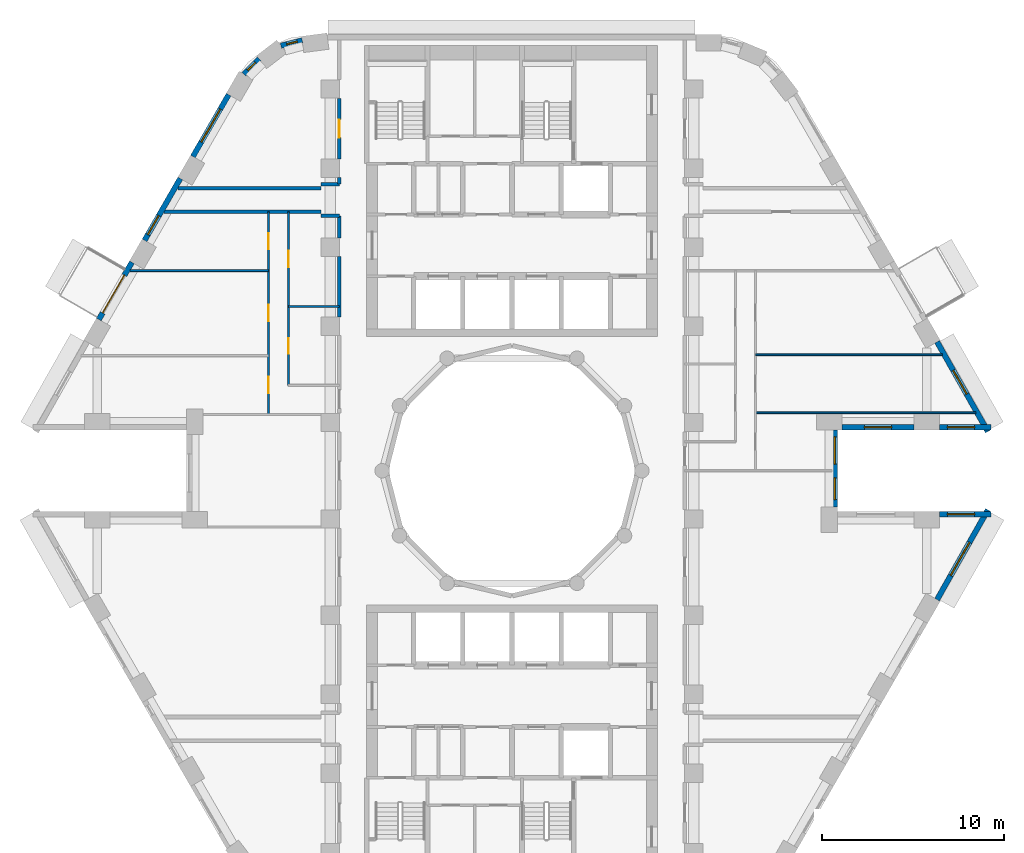
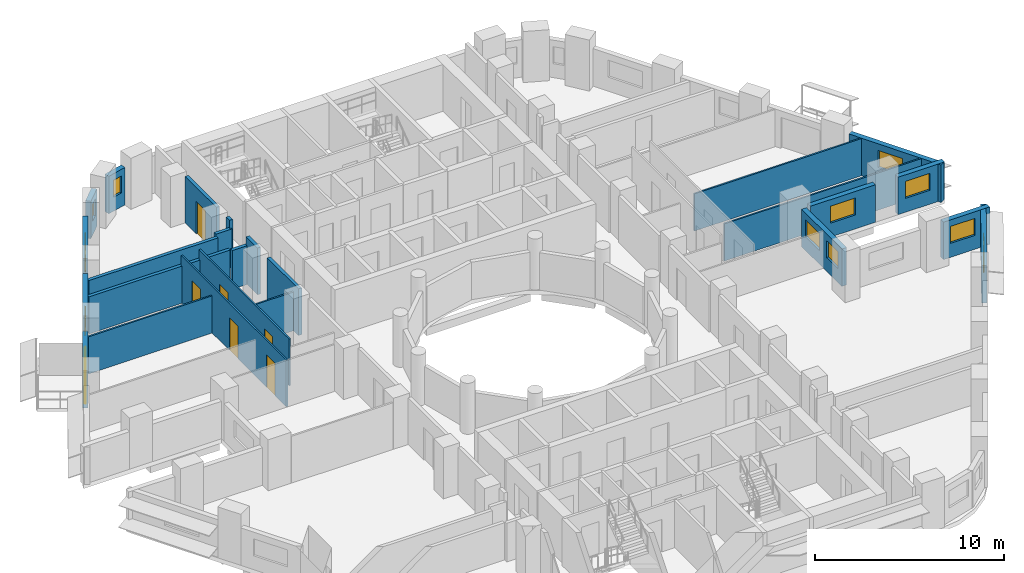
# One storey, part 6 of 14: 25 walls, 11 windows, 7 doors, 18 openings.
"""IFC4 building model written with IfcOpenShell, lengths in metres."""

from ifc_helpers import new_model, si_unit, direction, frame, frame_2d, origin, place, context, subcontext, project, spatial, rectangle, extrude, material, layer, layer_set, type_object, element, fill, save


model = new_model("IFC4")

# Units and contexts
model_context = context("Model", 3, precision=1e-05, world=origin(), true_north=direction((0.0, 1.0)))
body_context = subcontext(model_context, "Body", "Model", "MODEL_VIEW")
ifc_project = project(units=[si_unit("LENGTHUNIT", "METRE"), si_unit("AREAUNIT", "SQUARE_METRE"), si_unit("VOLUMEUNIT", "CUBIC_METRE"), si_unit("PLANEANGLEUNIT", "RADIAN"), si_unit("MASSUNIT", "GRAM", prefix="KILO")], contexts=[model_context])

# Site, building, storey
site_placement = place(None, origin())
site = spatial("IfcSite", under=ifc_project, at=site_placement, CompositionType="ELEMENT")
building_placement = place(site_placement, origin())
building = spatial("IfcBuilding", under=site, at=building_placement, Name="Nakaniwa Court", CompositionType="ELEMENT")
storey_placement = place(building_placement, frame((0.0, 0.0, 114.0)))
storey = spatial("IfcBuildingStorey", under=building, at=storey_placement, Name="L30", CompositionType="ELEMENT", Elevation=114.0)

# Walls
ifc_material_1 = material(Name="Acoustic double stud partition")
ifc_layer_1 = layer(ifc_material_1, 0.199951171875)
ifc_layer_set_1 = layer_set([ifc_layer_1], Name="Acoustic double stud partition")
wall_type_1 = type_object("IfcWallType", Name="Acoustic double stud partition 200", PredefinedType="PARTITIONING", material=ifc_layer_set_1)
wall_1_placement = place(storey_placement, frame((69.5, 95.77490234375, 0.0), z_axis=(0.0, 0.0, 1.0), x_axis=(1.0, 0.0, 0.0)))
element("IfcWall", 1, at=wall_1_placement, inside=storey, type_object=wall_type_1, Name="Partition PW-082", PredefinedType="PARTITIONING", context=body_context, shape_type="SweptSolid", body=[
    extrude(rectangle(XDim=1.0, YDim=0.199951171875, at=frame_2d((0.5, 0.0))), origin(), (0.0, 0.0, 1.0), 2.5048828125),
])
wall_2_placement = place(storey_placement, frame((61.611328125, 95.550048828125, 0.0), z_axis=(0.0, 0.0, 1.0), x_axis=(1.0, 0.0, 0.0)))
element("IfcWall", 2, at=wall_2_placement, inside=storey, type_object=wall_type_1, Name="Partition PW-084", PredefinedType="PARTITIONING", context=body_context, shape_type="SweptSolid", body=[
    extrude(rectangle(XDim=7.888671875, YDim=0.199951171875, at=frame_2d((3.9443359375, 0.0))), origin(), (0.0, 0.0, 1.0), 2.405029296875),
])
wall_3_placement = place(storey_placement, frame((60.86083984375, 94.25, 0.0), z_axis=(0.0, 0.0, 1.0), x_axis=(1.0, 0.0, 0.0)))
element("IfcWall", 3, at=wall_3_placement, inside=storey, type_object=wall_type_1, Name="Partition PW-086", PredefinedType="PARTITIONING", context=body_context, shape_type="SweptSolid", body=[
    extrude(rectangle(XDim=8.63916015625, YDim=0.199951171875, at=frame_2d((4.319580078125, 0.0))), origin(), (0.0, 0.0, 1.0), 2.405029296875),
])
wall_4_placement = place(storey_placement, frame((69.5, 94.02490234375, 0.0), z_axis=(0.0, 0.0, 1.0), x_axis=(1.0, 0.0, 0.0)))
element("IfcWall", 4, at=wall_4_placement, inside=storey, type_object=wall_type_1, Name="Partition PW-088", PredefinedType="PARTITIONING", context=body_context, shape_type="SweptSolid", body=[
    extrude(rectangle(XDim=1.0, YDim=0.199951171875, at=frame_2d((0.5, 0.0))), origin(), (0.0, 0.0, 1.0), 2.5048828125),
])
wall_5_placement = place(storey_placement, frame((70.5, 88.467041015625, 0.0), z_axis=(0.0, 0.0, 1.0), x_axis=(0.0, 1.0, 0.0)))
element("IfcWall", 5, at=wall_5_placement, inside=storey, type_object=wall_type_1, Name="Partition PW-106", PredefinedType="PARTITIONING", context=body_context, shape_type="SweptSolid", body=[
    extrude(rectangle(XDim=3.31591796875, YDim=0.199951171875, at=frame_2d((1.657958984375, 0.0))), origin(), (0.0, 0.0, 1.0), 3.02490234375),
])
wall_6_placement = place(storey_placement, frame((70.5, 92.81689453125, 0.0), z_axis=(0.0, 0.0, 1.0), x_axis=(0.0, 1.0, 0.0)))
element("IfcWall", 6, at=wall_6_placement, inside=storey, type_object=wall_type_1, Name="Partition PW-107", PredefinedType="PARTITIONING", context=body_context, shape_type="SweptSolid", body=[
    extrude(rectangle(XDim=1.211181640625, YDim=0.199951171875, at=frame_2d((0.60546875, 0.0))), origin(), (0.0, 0.0, 1.0), 3.02490234375),
])
wall_7_placement = place(storey_placement, frame((70.5, 95.77197265625, 0.0), z_axis=(0.0, 0.0, 1.0), x_axis=(0.0, 1.0, 0.0)))
element("IfcWall", 7, at=wall_7_placement, inside=storey, type_object=wall_type_1, Name="Partition PW-108", PredefinedType="PARTITIONING", context=body_context, shape_type="SweptSolid", body=[
    extrude(rectangle(XDim=0.361083984375, YDim=0.199951171875, at=frame_2d((0.1806640625, 0.0))), origin(), (0.0, 0.0, 1.0), 3.02490234375),
])

# Wall, opening, door
wall_8_placement = place(storey_placement, frame((70.5, 97.1669921875, 0.0), z_axis=(0.0, 0.0, 1.0), x_axis=(0.0, 1.0, 0.0)))
wall_8 = element("IfcWall", 8, at=wall_8_placement, inside=storey, type_object=wall_type_1, Name="Partition PW-109", PredefinedType="PARTITIONING", context=body_context, shape_type="SweptSolid", body=[
    extrude(rectangle(XDim=3.31591796875, YDim=0.199951171875, at=frame_2d((1.657958984375, 0.0))), origin(), (0.0, 0.0, 1.0), 3.02490234375),
])
opening_1_placement = place(wall_8_placement, frame((1.157958984375, 0.0, 0.0)))
opening_1 = element("IfcOpeningElement", 9, at=opening_1_placement, cuts=wall_8, Name="Opening D-02-07", PredefinedType="OPENING", context=body_context, shape_type="SweptSolid", body=[
    extrude(rectangle(XDim=1.0, YDim=2.10009765625, at=frame_2d((0.5, 1.050048828125))), frame((0.0, 0.10986328125, 0.0), z_axis=(0.0, -1.0, 0.0), x_axis=(1.0, 0.0, 0.0)), (0.0, 0.0, 1.0), 0.219970703125),
])
ifc_material_2 = material(Name="Solid core timber door set, black veneer", Category="wood")
door_type_1 = type_object("IfcDoorType", Name="Internal door 1000", OperationType="NOTDEFINED", PredefinedType="DOOR", material=ifc_material_2)
door_1_placement = place(opening_1_placement, origin())
door_1 = element("IfcDoor", 10, at=door_1_placement, inside=storey, type_object=door_type_1, Name="Door D-02-07 L30-045", OperationType="SINGLE_SWING_RIGHT", OverallHeight=2.10009765625, OverallWidth=1.0, PredefinedType="DOOR", context=body_context, shape_type="SweptSolid", body=[
    extrude(rectangle(XDim=1.0, YDim=2.10009765625, at=frame_2d((0.5, 1.050048828125))), frame((0.0, 0.02490234375, 0.0), z_axis=(0.0, -1.0, 0.0), x_axis=(1.0, 0.0, 0.0)), (0.0, 0.0, 1.0), 0.050048828125),
])
fill(opening_1, door_1)

# Wall, opening, window
ifc_material_3 = material(Name="Charcoal ceramic cladding")
ifc_layer_2 = layer(ifc_material_3, 0.02, Name="Ceramic cladding")
ifc_material_4 = material(Name="Ventilated air cavity")
ifc_layer_3 = layer(ifc_material_4, 0.04, ventilated=True, Name="Ventilated cavity")
ifc_material_5 = material(Name="Mineral wool insulation")
ifc_layer_4 = layer(ifc_material_5, 0.1, Name="Insulation")
ifc_material_6 = material(Name="Cement bonded sheathing board")
ifc_layer_5 = layer(ifc_material_6, 0.012, Name="Sheathing")
ifc_material_7 = material(Name="Cold-formed galvanised stud frame with mineral wool infill")
ifc_layer_6 = layer(ifc_material_7, 0.1, Name="Stud frame")
ifc_material_8 = material(Name="Fire-rated gypsum plasterboard lining")
ifc_layer_7 = layer(ifc_material_8, 0.028, Name="Lining")
ifc_layer_set_2 = layer_set([ifc_layer_2, ifc_layer_3, ifc_layer_4, ifc_layer_5, ifc_layer_6, ifc_layer_7], Name="Charcoal ceramic faced external wall system")
wall_type_2 = type_object("IfcWallType", Name="Black ceramic faced external wall 300", PredefinedType="SOLIDWALL", material=ifc_layer_set_2)
wall_9_placement = place(storey_placement, frame((98.154296875, 82.39990234375, 0.0), z_axis=(0.0, 0.0, 1.0), x_axis=(1.0, 0.0, 0.0)))
wall_9 = element("IfcWall", 11, at=wall_9_placement, inside=storey, type_object=wall_type_2, Name="L30 external wall 00", PredefinedType="SOLIDWALL", context=body_context, shape_type="SweptSolid", body=[
    extrude(rectangle(XDim=3.97265625, YDim=0.300048828125, at=frame_2d((1.986328125, 0.0))), origin(), (0.0, 0.0, 1.0), 2.425048828125),
])
opening_2_placement = place(wall_9_placement, frame((1.236328125, 0.0, 0.89990234375)))
opening_2 = element("IfcOpeningElement", 12, at=opening_2_placement, cuts=wall_9, Name="Opening W5.01", PredefinedType="OPENING", context=body_context, shape_type="SweptSolid", body=[
    extrude(rectangle(XDim=1.5, YDim=1.10009765625, at=frame_2d((0.75, 0.550048828125))), frame((0.0, 0.159912109375, 0.0), z_axis=(0.0, -1.0, 0.0), x_axis=(1.0, 0.0, 0.0)), (0.0, 0.0, 1.0), 0.320068359375),
])
ifc_material_9 = material(Name="Black anodised aluminium frame with dark low-E laminated double glazing", Category="aluminium")
window_type_1 = type_object("IfcWindowType", Name="Dark glass window 1500x1100 sill 900", PartitioningType="SINGLE_PANEL", PredefinedType="WINDOW", material=ifc_material_9)
window_1_placement = place(opening_2_placement, origin())
window_1 = element("IfcWindow", 13, at=window_1_placement, inside=storey, type_object=window_type_1, Name="L30 bedroom window 00-0", OverallHeight=1.10009765625, OverallWidth=1.5, PartitioningType="SINGLE_PANEL", PredefinedType="WINDOW", context=body_context, shape_type="SweptSolid", body=[
    extrude(rectangle(XDim=1.5, YDim=1.10009765625, at=frame_2d((0.75, 0.550048828125))), frame((0.0, 0.030029296875, 0.0), z_axis=(0.0, -1.0, 0.0), x_axis=(1.0, 0.0, 0.0)), (0.0, 0.0, 1.0), 0.06005859375),
])
fill(opening_2, window_1)

wall_10_placement = place(storey_placement, frame((103.518798828125, 82.39990234375, 0.0), z_axis=(0.0, 0.0, 1.0), x_axis=(1.0, 0.0, 0.0)))
wall_10 = element("IfcWall", 14, at=wall_10_placement, inside=storey, type_object=wall_type_2, Name="L30 external wall 01", PredefinedType="SOLIDWALL", context=body_context, shape_type="SweptSolid", body=[
    extrude(rectangle(XDim=2.837890625, YDim=0.300048828125, at=frame_2d((1.4189453125, 0.0))), origin(), (0.0, 0.0, 1.0), 2.425048828125),
])
opening_3_placement = place(wall_10_placement, frame((0.44384765625, 0.0, 0.89990234375)))
opening_3 = element("IfcOpeningElement", 15, at=opening_3_placement, cuts=wall_10, Name="Opening W5.02", PredefinedType="OPENING", context=body_context, shape_type="SweptSolid", body=[
    extrude(rectangle(XDim=1.5, YDim=1.10009765625, at=frame_2d((0.75, 0.550048828125))), frame((0.0, 0.159912109375, 0.0), z_axis=(0.0, -1.0, 0.0), x_axis=(1.0, 0.0, 0.0)), (0.0, 0.0, 1.0), 0.320068359375),
])
window_2_placement = place(opening_3_placement, origin())
window_2 = element("IfcWindow", 16, at=window_2_placement, inside=storey, type_object=window_type_1, Name="L30 bedroom window 01-0", OverallHeight=1.10009765625, OverallWidth=1.5, PartitioningType="SINGLE_PANEL", PredefinedType="WINDOW", context=body_context, shape_type="SweptSolid", body=[
    extrude(rectangle(XDim=1.5, YDim=1.10009765625, at=frame_2d((0.75, 0.550048828125))), frame((0.0, 0.030029296875, 0.0), z_axis=(0.0, -1.0, 0.0), x_axis=(1.0, 0.0, 0.0)), (0.0, 0.0, 1.0), 0.06005859375),
])
fill(opening_3, window_2)

wall_11_placement = place(storey_placement, frame((106.18603515625, 82.1533203125, 0.0), z_axis=(0.0, 0.0, 1.0), x_axis=(-0.492456858874, 0.870336855561, 0.0)))
wall_11 = element("IfcWall", 17, at=wall_11_placement, inside=storey, type_object=wall_type_2, Name="L30 external wall 02", PredefinedType="SOLIDWALL", context=body_context, shape_type="SweptSolid", body=[
    extrude(rectangle(XDim=5.676513671875, YDim=0.300048828125, at=frame_2d((2.83837890625, 0.0))), origin(), (0.0, 0.0, 1.0), 2.425048828125),
])
opening_4_placement = place(wall_11_placement, frame((2.3759765625, 0.0, 0.89990234375)))
opening_4 = element("IfcOpeningElement", 18, at=opening_4_placement, cuts=wall_11, Name="Opening W5.03", PredefinedType="OPENING", context=body_context, shape_type="SweptSolid", body=[
    extrude(rectangle(XDim=1.5, YDim=1.10009765625, at=frame_2d((0.75, 0.550048828125))), frame((0.0, 0.159912109375, 0.0), z_axis=(0.0, -1.0, 0.0), x_axis=(1.0, 0.0, 0.0)), (0.0, 0.0, 1.0), 0.320068359375),
])
window_3_placement = place(opening_4_placement, origin())
window_3 = element("IfcWindow", 19, at=window_3_placement, inside=storey, type_object=window_type_1, Name="L30 bedroom window 02-1", OverallHeight=1.10009765625, OverallWidth=1.5, PartitioningType="SINGLE_PANEL", PredefinedType="WINDOW", context=body_context, shape_type="SweptSolid", body=[
    extrude(rectangle(XDim=1.5, YDim=1.10009765625, at=frame_2d((0.75, 0.550048828125))), frame((0.0, 0.030029296875, 0.0), z_axis=(0.0, -1.0, 0.0), x_axis=(1.0, 0.0, 0.0)), (0.0, 0.0, 1.0), 0.06005859375),
])
fill(opening_4, window_3)

wall_12_placement = place(storey_placement, frame((68.455810546875, 103.68310546875, 0.0), z_axis=(0.0, 0.0, 1.0), x_axis=(-0.969485113966, -0.245150186208, 0.0)))
wall_12 = element("IfcWall", 20, at=wall_12_placement, inside=storey, type_object=wall_type_2, Name="L30 external wall 09", PredefinedType="SOLIDWALL", context=body_context, shape_type="SweptSolid", body=[
    extrude(rectangle(XDim=1.2080078125, YDim=0.300048828125, at=frame_2d((0.60400390625, 0.0))), origin(), (0.0, 0.0, 1.0), 2.425048828125),
])
opening_5_placement = place(wall_12_placement, frame((0.279541015625, 0.0, 0.89990234375)))
opening_5 = element("IfcOpeningElement", 21, at=opening_5_placement, cuts=wall_12, Name="Opening W8.08", PredefinedType="OPENING", context=body_context, shape_type="SweptSolid", body=[
    extrude(rectangle(XDim=0.60009765625, YDim=1.10009765625, at=frame_2d((0.300048828125, 0.550048828125))), frame((0.0, 0.159912109375, 0.0), z_axis=(0.0, -1.0, 0.0), x_axis=(1.0, 0.0, 0.0)), (0.0, 0.0, 1.0), 0.320068359375),
])
window_type_2 = type_object("IfcWindowType", Name="Dark glass window 600x1100 sill 900", PartitioningType="SINGLE_PANEL", PredefinedType="WINDOW", material=ifc_material_9)
window_4_placement = place(opening_5_placement, origin())
window_4 = element("IfcWindow", 22, at=window_4_placement, inside=storey, type_object=window_type_2, Name="L30 habitable room window 09-0", OverallHeight=1.10009765625, OverallWidth=0.60009765625, PartitioningType="SINGLE_PANEL", PredefinedType="WINDOW", context=body_context, shape_type="SweptSolid", body=[
    extrude(rectangle(XDim=0.60009765625, YDim=1.10009765625, at=frame_2d((0.300048828125, 0.550048828125))), frame((0.0, 0.030029296875, 0.0), z_axis=(0.0, -1.0, 0.0), x_axis=(1.0, 0.0, 0.0)), (0.0, 0.0, 1.0), 0.06005859375),
])
fill(opening_5, window_4)

wall_13_placement = place(storey_placement, frame((66.085205078125, 102.66259765625, 0.0), z_axis=(0.0, 0.0, 1.0), x_axis=(-0.708951665509, -0.705257070842, 0.0)))
wall_13 = element("IfcWall", 23, at=wall_13_placement, inside=storey, type_object=wall_type_2, Name="L30 external wall 10", PredefinedType="SOLIDWALL", context=body_context, shape_type="SweptSolid", body=[
    extrude(rectangle(XDim=1.189453125, YDim=0.300048828125, at=frame_2d((0.5947265625, 0.0))), origin(), (0.0, 0.0, 1.0), 2.425048828125),
])
opening_6_placement = place(wall_13_placement, frame((0.284423828125, 0.0, 0.89990234375)))
opening_6 = element("IfcOpeningElement", 24, at=opening_6_placement, cuts=wall_13, Name="Opening W8.09", PredefinedType="OPENING", context=body_context, shape_type="SweptSolid", body=[
    extrude(rectangle(XDim=0.60009765625, YDim=1.10009765625, at=frame_2d((0.300048828125, 0.550048828125))), frame((0.0, 0.159912109375, 0.0), z_axis=(0.0, -1.0, 0.0), x_axis=(1.0, 0.0, 0.0)), (0.0, 0.0, 1.0), 0.320068359375),
])
window_5_placement = place(opening_6_placement, origin())
window_5 = element("IfcWindow", 25, at=window_5_placement, inside=storey, type_object=window_type_2, Name="L30 habitable room window 10-0", OverallHeight=1.10009765625, OverallWidth=0.60009765625, PartitioningType="SINGLE_PANEL", PredefinedType="WINDOW", context=body_context, shape_type="SweptSolid", body=[
    extrude(rectangle(XDim=0.60009765625, YDim=1.10009765625, at=frame_2d((0.300048828125, 0.550048828125))), frame((0.0, 0.030029296875, 0.0), z_axis=(0.0, -1.0, 0.0), x_axis=(1.0, 0.0, 0.0)), (0.0, 0.0, 1.0), 0.06005859375),
])
fill(opening_6, window_5)

wall_14_placement = place(storey_placement, frame((64.40966796875, 100.69677734375, 0.0), z_axis=(0.0, 0.0, 1.0), x_axis=(-0.500003583557, -0.866023334807, 0.0)))
wall_14 = element("IfcWall", 26, at=wall_14_placement, inside=storey, type_object=wall_type_2, Name="L30 external wall 11", PredefinedType="SOLIDWALL", context=body_context, shape_type="SweptSolid", body=[
    extrude(rectangle(XDim=3.93408203125, YDim=0.300048828125, at=frame_2d((1.967041015625, 0.0))), origin(), (0.0, 0.0, 1.0), 2.425048828125),
])
opening_7_placement = place(wall_14_placement, frame((0.9169921875, 0.0, 0.89990234375)))
opening_7 = element("IfcOpeningElement", 27, at=opening_7_placement, cuts=wall_14, Name="Opening W7.10", PredefinedType="OPENING", context=body_context, shape_type="SweptSolid", body=[
    extrude(rectangle(XDim=2.10009765625, YDim=1.10009765625, at=frame_2d((1.050048828125, 0.550048828125))), frame((0.0, 0.159912109375, 0.0), z_axis=(0.0, -1.0, 0.0), x_axis=(1.0, 0.0, 0.0)), (0.0, 0.0, 1.0), 0.320068359375),
])
window_type_3 = type_object("IfcWindowType", Name="Dark glass window 2100x1100 sill 900", PartitioningType="SINGLE_PANEL", PredefinedType="WINDOW", material=ifc_material_9)
window_6_placement = place(opening_7_placement, origin())
window_6 = element("IfcWindow", 28, at=window_6_placement, inside=storey, type_object=window_type_3, Name="L30 habitable room window 11-0", OverallHeight=1.10009765625, OverallWidth=2.10009765625, PartitioningType="SINGLE_PANEL", PredefinedType="WINDOW", context=body_context, shape_type="SweptSolid", body=[
    extrude(rectangle(XDim=2.10009765625, YDim=1.10009765625, at=frame_2d((1.050048828125, 0.550048828125))), frame((0.0, 0.030029296875, 0.0), z_axis=(0.0, -1.0, 0.0), x_axis=(1.0, 0.0, 0.0)), (0.0, 0.0, 1.0), 0.06005859375),
])
fill(opening_7, window_6)

wall_15_placement = place(storey_placement, frame((61.74658203125, 96.08447265625, 0.0), z_axis=(0.0, 0.0, 1.0), x_axis=(-0.499957037901, -0.866050206543, 0.0)))
wall_15 = element("IfcWall", 29, at=wall_15_placement, inside=storey, type_object=wall_type_2, Name="L30 external wall 12", PredefinedType="SOLIDWALL", context=body_context, shape_type="SweptSolid", body=[
    extrude(rectangle(XDim=3.933837890625, YDim=0.300048828125, at=frame_2d((1.966796875, 0.0))), origin(), (0.0, 0.0, 1.0), 2.425048828125),
])
opening_8_placement = place(wall_15_placement, frame((2.364990234375, 0.0, 0.89990234375)))
opening_8 = element("IfcOpeningElement", 30, at=opening_8_placement, cuts=wall_15, Name="Opening W6.11", PredefinedType="OPENING", context=body_context, shape_type="SweptSolid", body=[
    extrude(rectangle(XDim=1.199951171875, YDim=1.10009765625, at=frame_2d((0.60009765625, 0.550048828125))), frame((0.0, 0.159912109375, 0.0), z_axis=(0.0, -1.0, 0.0), x_axis=(1.0, 0.0, 0.0)), (0.0, 0.0, 1.0), 0.320068359375),
])
window_type_4 = type_object("IfcWindowType", Name="Dark glass window 1200x1100 sill 900", PartitioningType="SINGLE_PANEL", PredefinedType="WINDOW", material=ifc_material_9)
window_7_placement = place(opening_8_placement, origin())
window_7 = element("IfcWindow", 31, at=window_7_placement, inside=storey, type_object=window_type_4, Name="L30 bedroom window 12-2", OverallHeight=1.10009765625, OverallWidth=1.199951171875, PartitioningType="SINGLE_PANEL", PredefinedType="WINDOW", context=body_context, shape_type="SweptSolid", body=[
    extrude(rectangle(XDim=1.199951171875, YDim=1.10009765625, at=frame_2d((0.60009765625, 0.550048828125))), frame((0.0, 0.030029296875, 0.0), z_axis=(0.0, -1.0, 0.0), x_axis=(1.0, 0.0, 0.0)), (0.0, 0.0, 1.0), 0.06005859375),
])
fill(opening_8, window_7)

# Wall, opening, door
wall_16_placement = place(storey_placement, frame((59.083740234375, 91.471923828125, 0.0), z_axis=(0.0, 0.0, 1.0), x_axis=(-0.500009139881, -0.866020126807, 0.0)))
wall_16 = element("IfcWall", 32, at=wall_16_placement, inside=storey, type_object=wall_type_2, Name="L30 external wall 13", PredefinedType="SOLIDWALL", context=body_context, shape_type="SweptSolid", body=[
    extrude(rectangle(XDim=3.63671875, YDim=0.300048828125, at=frame_2d((1.818359375, 0.0))), origin(), (0.0, 0.0, 1.0), 2.425048828125),
])
opening_9_placement = place(wall_16_placement, frame((0.822509765625, 0.0, 0.0)))
opening_9 = element("IfcOpeningElement", 33, at=opening_9_placement, cuts=wall_16, Name="Opening XD13.02", PredefinedType="OPENING", context=body_context, shape_type="SweptSolid", body=[
    extrude(rectangle(XDim=2.39990234375, YDim=2.0, at=frame_2d((1.199951171875, 1.0))), frame((0.0, 0.159912109375, 0.0), z_axis=(0.0, -1.0, 0.0), x_axis=(1.0, 0.0, 0.0)), (0.0, 0.0, 1.0), 0.320068359375),
])
ifc_material_10 = material(Name="Black powder-coated aluminium frame with dark laminated glass", Category="aluminium")
door_type_2 = type_object("IfcDoorType", Name="Balcony sliding door 2400x2000", OperationType="DOUBLE_DOOR_SLIDING", PredefinedType="DOOR", material=ifc_material_10)
door_2_placement = place(opening_9_placement, origin())
door_2 = element("IfcDoor", 34, at=door_2_placement, inside=storey, type_object=door_type_2, Name="L30 balcony sliding door 01", OperationType="DOUBLE_DOOR_SLIDING", OverallHeight=2.0, OverallWidth=2.39990234375, PredefinedType="DOOR", context=body_context, shape_type="SweptSolid", body=[
    extrude(rectangle(XDim=2.39990234375, YDim=2.0, at=frame_2d((1.199951171875, 1.0))), frame((0.0, 0.02490234375, 0.0), z_axis=(0.0, -1.0, 0.0), x_axis=(1.0, 0.0, 0.0)), (0.0, 0.0, 1.0), 0.050048828125),
])
fill(opening_9, door_2)

# Wall, opening, window
wall_17_placement = place(storey_placement, frame((103.390625, 72.90625, 0.0), z_axis=(0.0, 0.0, 1.0), x_axis=(0.492456858874, 0.870336855561, 0.0)))
wall_17 = element("IfcWall", 35, at=wall_17_placement, inside=storey, type_object=wall_type_2, Name="L30 external wall 32", PredefinedType="SOLIDWALL", context=body_context, shape_type="SweptSolid", body=[
    extrude(rectangle(XDim=5.676513671875, YDim=0.300048828125, at=frame_2d((2.83837890625, 0.0))), origin(), (0.0, 0.0, 1.0), 2.425048828125),
])
opening_10_placement = place(wall_17_placement, frame((1.52490234375, 0.0, 0.89990234375)))
opening_10 = element("IfcOpeningElement", 36, at=opening_10_placement, cuts=wall_17, Name="Opening W7.27", PredefinedType="OPENING", context=body_context, shape_type="SweptSolid", body=[
    extrude(rectangle(XDim=2.10009765625, YDim=1.10009765625, at=frame_2d((1.050048828125, 0.550048828125))), frame((0.0, 0.159912109375, 0.0), z_axis=(0.0, -1.0, 0.0), x_axis=(1.0, 0.0, 0.0)), (0.0, 0.0, 1.0), 0.320068359375),
])
window_8_placement = place(opening_10_placement, origin())
window_8 = element("IfcWindow", 37, at=window_8_placement, inside=storey, type_object=window_type_3, Name="L30 habitable room window 32-0", OverallHeight=1.10009765625, OverallWidth=2.10009765625, PartitioningType="SINGLE_PANEL", PredefinedType="WINDOW", context=body_context, shape_type="SweptSolid", body=[
    extrude(rectangle(XDim=2.10009765625, YDim=1.10009765625, at=frame_2d((1.050048828125, 0.550048828125))), frame((0.0, 0.030029296875, 0.0), z_axis=(0.0, -1.0, 0.0), x_axis=(1.0, 0.0, 0.0)), (0.0, 0.0, 1.0), 0.06005859375),
])
fill(opening_10, window_8)

wall_18_placement = place(storey_placement, frame((106.356689453125, 77.60009765625, 0.0), z_axis=(0.0, 0.0, 1.0), x_axis=(-1.0, 0.0, 0.0)))
wall_18 = element("IfcWall", 38, at=wall_18_placement, inside=storey, type_object=wall_type_2, Name="L30 external wall 33", PredefinedType="SOLIDWALL", context=body_context, shape_type="SweptSolid", body=[
    extrude(rectangle(XDim=2.837890625, YDim=0.300048828125, at=frame_2d((1.4189453125, 0.0))), origin(), (0.0, 0.0, 1.0), 2.425048828125),
])
opening_11_placement = place(wall_18_placement, frame((0.893798828125, 0.0, 0.89990234375)))
opening_11 = element("IfcOpeningElement", 39, at=opening_11_placement, cuts=wall_18, Name="Opening W5.28", PredefinedType="OPENING", context=body_context, shape_type="SweptSolid", body=[
    extrude(rectangle(XDim=1.5, YDim=1.10009765625, at=frame_2d((0.75, 0.550048828125))), frame((0.0, 0.159912109375, 0.0), z_axis=(0.0, -1.0, 0.0), x_axis=(1.0, 0.0, 0.0)), (0.0, 0.0, 1.0), 0.320068359375),
])
window_9_placement = place(opening_11_placement, origin())
window_9 = element("IfcWindow", 40, at=window_9_placement, inside=storey, type_object=window_type_1, Name="L30 habitable room window 33-0", OverallHeight=1.10009765625, OverallWidth=1.5, PartitioningType="SINGLE_PANEL", PredefinedType="WINDOW", context=body_context, shape_type="SweptSolid", body=[
    extrude(rectangle(XDim=1.5, YDim=1.10009765625, at=frame_2d((0.75, 0.550048828125))), frame((0.0, 0.030029296875, 0.0), z_axis=(0.0, -1.0, 0.0), x_axis=(1.0, 0.0, 0.0)), (0.0, 0.0, 1.0), 0.06005859375),
])
fill(opening_11, window_9)

# Wall, openings, windows
wall_19_placement = place(storey_placement, frame((97.75830078125, 77.99609375, 0.0), z_axis=(0.0, 0.0, 1.0), x_axis=(0.0, 1.0, 0.0)))
wall_19 = element("IfcWall", 41, at=wall_19_placement, inside=storey, type_object=wall_type_2, Name="L30 external wall 35", PredefinedType="SOLIDWALL", context=body_context, shape_type="SweptSolid", body=[
    extrude(rectangle(XDim=4.2578125, YDim=0.300048828125, at=frame_2d((2.12890625, 0.0))), origin(), (0.0, 0.0, 1.0), 2.425048828125),
])
opening_12_placement = place(wall_19_placement, frame((0.4140625, 0.0, 0.89990234375)))
opening_12 = element("IfcOpeningElement", 42, at=opening_12_placement, cuts=wall_19, Name="Opening W6.30", PredefinedType="OPENING", context=body_context, shape_type="SweptSolid", body=[
    extrude(rectangle(XDim=1.199951171875, YDim=1.10009765625, at=frame_2d((0.60009765625, 0.550048828125))), frame((0.0, 0.159912109375, 0.0), z_axis=(0.0, -1.0, 0.0), x_axis=(1.0, 0.0, 0.0)), (0.0, 0.0, 1.0), 0.320068359375),
])
opening_13_placement = place(wall_19_placement, frame((2.368896484375, 0.0, 0.89990234375)))
opening_13 = element("IfcOpeningElement", 43, at=opening_13_placement, cuts=wall_19, Name="Opening W5.31", PredefinedType="OPENING", context=body_context, shape_type="SweptSolid", body=[
    extrude(rectangle(XDim=1.5, YDim=1.10009765625, at=frame_2d((0.75, 0.550048828125))), frame((0.0, 0.159912109375, 0.0), z_axis=(0.0, -1.0, 0.0), x_axis=(1.0, 0.0, 0.0)), (0.0, 0.0, 1.0), 0.320068359375),
])
window_10_placement = place(opening_12_placement, origin())
window_10 = element("IfcWindow", 44, at=window_10_placement, inside=storey, type_object=window_type_4, Name="L30 habitable room window 35-0", OverallHeight=1.10009765625, OverallWidth=1.199951171875, PartitioningType="SINGLE_PANEL", PredefinedType="WINDOW", context=body_context, shape_type="SweptSolid", body=[
    extrude(rectangle(XDim=1.199951171875, YDim=1.10009765625, at=frame_2d((0.60009765625, 0.550048828125))), frame((0.0, 0.030029296875, 0.0), z_axis=(0.0, -1.0, 0.0), x_axis=(1.0, 0.0, 0.0)), (0.0, 0.0, 1.0), 0.06005859375),
])
fill(opening_12, window_10)
window_11_placement = place(opening_13_placement, origin())
window_11 = element("IfcWindow", 45, at=window_11_placement, inside=storey, type_object=window_type_1, Name="L30 bedroom window 35-1", OverallHeight=1.10009765625, OverallWidth=1.5, PartitioningType="SINGLE_PANEL", PredefinedType="WINDOW", context=body_context, shape_type="SweptSolid", body=[
    extrude(rectangle(XDim=1.5, YDim=1.10009765625, at=frame_2d((0.75, 0.550048828125))), frame((0.0, 0.030029296875, 0.0), z_axis=(0.0, -1.0, 0.0), x_axis=(1.0, 0.0, 0.0)), (0.0, 0.0, 1.0), 0.06005859375),
])
fill(opening_13, window_11)

# Walls
ifc_material_11 = material(Name="Single stud plasterboard partition")
ifc_layer_8 = layer(ifc_material_11, 0.10009765625)
ifc_layer_set_3 = layer_set([ifc_layer_8], Name="Single stud plasterboard partition")
wall_type_3 = type_object("IfcWallType", Name="Single stud plasterboard partition 100", PredefinedType="PARTITIONING", material=ifc_layer_set_3)
wall_20_placement = place(storey_placement, frame((93.39990234375, 83.194091796875, 0.0), z_axis=(0.0, 0.0, 1.0), x_axis=(1.0, 0.0, 0.0)))
element("IfcWall", 46, at=wall_20_placement, inside=storey, type_object=wall_type_3, Name="Partition PW-117", PredefinedType="PARTITIONING", context=body_context, shape_type="SweptSolid", body=[
    extrude(rectangle(XDim=12.122802734375, YDim=0.10009765625, at=frame_2d((6.0615234375, 0.0))), origin(), (0.0, 0.0, 1.0), 2.405029296875),
])
wall_21_placement = place(storey_placement, frame((93.39990234375, 86.386962890625, 0.0), z_axis=(0.0, 0.0, 1.0), x_axis=(1.0, 0.0, 0.0)))
element("IfcWall", 47, at=wall_21_placement, inside=storey, type_object=wall_type_3, Name="Partition PW-118", PredefinedType="PARTITIONING", context=body_context, shape_type="SweptSolid", body=[
    extrude(rectangle(XDim=10.27880859375, YDim=0.10009765625, at=frame_2d((5.139404296875, 0.0))), origin(), (0.0, 0.0, 1.0), 2.405029296875),
])
wall_22_placement = place(storey_placement, frame((67.699951171875, 89.041015625, 0.0), z_axis=(0.0, 0.0, 1.0), x_axis=(1.0, 0.0, 0.0)))
element("IfcWall", 48, at=wall_22_placement, inside=storey, type_object=wall_type_3, Name="Partition PW-121", PredefinedType="PARTITIONING", context=body_context, shape_type="SweptSolid", body=[
    extrude(rectangle(XDim=2.800048828125, YDim=0.10009765625, at=frame_2d((1.39990234375, 0.0))), origin(), (0.0, 0.0, 1.0), 2.5048828125),
])

# Wall, openings, doors
wall_23_placement = place(storey_placement, frame((67.699951171875, 94.25, 0.0), z_axis=(0.0, 0.0, 1.0), x_axis=(0.0, -1.0, 0.0)))
wall_23 = element("IfcWall", 49, at=wall_23_placement, inside=storey, type_object=wall_type_3, Name="Partition PW-123", PredefinedType="PARTITIONING", context=body_context, shape_type="SweptSolid", body=[
    extrude(rectangle(XDim=9.550048828125, YDim=0.10009765625, at=frame_2d((4.77490234375, 0.0))), origin(), (0.0, 0.0, 1.0), 3.02490234375),
])
opening_14_placement = place(wall_23_placement, frame((6.955078125, 0.0, 0.0)))
opening_14 = element("IfcOpeningElement", 50, at=opening_14_placement, cuts=wall_23, Name="Opening D-03-02", PredefinedType="OPENING", context=body_context, shape_type="SweptSolid", body=[
    extrude(rectangle(XDim=0.85009765625, YDim=2.10009765625, at=frame_2d((0.425048828125, 1.050048828125))), frame((0.0, 0.06005859375, 0.0), z_axis=(0.0, -1.0, 0.0), x_axis=(1.0, 0.0, 0.0)), (0.0, 0.0, 1.0), 0.1201171875),
])
opening_15_placement = place(wall_23_placement, frame((2.155029296875, 0.0, 0.0)))
opening_15 = element("IfcOpeningElement", 51, at=opening_15_placement, cuts=wall_23, Name="Opening D-33-05", PredefinedType="OPENING", context=body_context, shape_type="SweptSolid", body=[
    extrude(rectangle(XDim=0.89990234375, YDim=2.10009765625, at=frame_2d((0.449951171875, 1.050048828125))), frame((0.0, 0.06005859375, 0.0), z_axis=(0.0, -1.0, 0.0), x_axis=(1.0, 0.0, 0.0)), (0.0, 0.0, 1.0), 0.1201171875),
])
ifc_material_12 = material(Name="Moisture sealed timber door set", Category="wood")
door_type_3 = type_object("IfcDoorType", Name="Bathroom door 850", OperationType="NOTDEFINED", PredefinedType="DOOR", material=ifc_material_12)
door_3_placement = place(opening_14_placement, origin())
door_3 = element("IfcDoor", 52, at=door_3_placement, inside=storey, type_object=door_type_3, Name="Door D-03-02 L30-040", OperationType="SINGLE_SWING_LEFT", OverallHeight=2.10009765625, OverallWidth=0.85009765625, PredefinedType="DOOR", context=body_context, shape_type="SweptSolid", body=[
    extrude(rectangle(XDim=0.85009765625, YDim=2.10009765625, at=frame_2d((0.425048828125, 1.050048828125))), frame((0.0, 0.02490234375, 0.0), z_axis=(0.0, -1.0, 0.0), x_axis=(1.0, 0.0, 0.0)), (0.0, 0.0, 1.0), 0.050048828125),
])
fill(opening_14, door_3)
door_type_4 = type_object("IfcDoorType", Name="Internal door 900", OperationType="NOTDEFINED", PredefinedType="DOOR", material=ifc_material_2)
door_4_placement = place(opening_15_placement, origin())
door_4 = element("IfcDoor", 53, at=door_4_placement, inside=storey, type_object=door_type_4, Name="Door D-33-05 L30-041", OperationType="SINGLE_SWING_RIGHT", OverallHeight=2.10009765625, OverallWidth=0.89990234375, PredefinedType="DOOR", context=body_context, shape_type="SweptSolid", body=[
    extrude(rectangle(XDim=0.89990234375, YDim=2.10009765625, at=frame_2d((0.449951171875, 1.050048828125))), frame((0.0, 0.02490234375, 0.0), z_axis=(0.0, -1.0, 0.0), x_axis=(1.0, 0.0, 0.0)), (0.0, 0.0, 1.0), 0.050048828125),
])
fill(opening_15, door_4)

wall_24_placement = place(storey_placement, frame((66.60009765625, 83.10009765625, 0.0), z_axis=(0.0, 0.0, 1.0), x_axis=(0.0, 1.0, 0.0)))
wall_24 = element("IfcWall", 54, at=wall_24_placement, inside=storey, type_object=wall_type_3, Name="Partition PW-124", PredefinedType="PARTITIONING", context=body_context, shape_type="SweptSolid", body=[
    extrude(rectangle(XDim=11.14990234375, YDim=0.10009765625, at=frame_2d((5.574951171875, 0.0))), origin(), (0.0, 0.0, 1.0), 3.02490234375),
])
opening_16_placement = place(wall_24_placement, frame((1.1689453125, 0.0, 0.0)))
opening_16 = element("IfcOpeningElement", 55, at=opening_16_placement, cuts=wall_24, Name="Opening D-33-06", PredefinedType="OPENING", context=body_context, shape_type="SweptSolid", body=[
    extrude(rectangle(XDim=0.89990234375, YDim=2.10009765625, at=frame_2d((0.449951171875, 1.050048828125))), frame((0.0, 0.06005859375, 0.0), z_axis=(0.0, -1.0, 0.0), x_axis=(1.0, 0.0, 0.0)), (0.0, 0.0, 1.0), 0.1201171875),
])
opening_17_placement = place(wall_24_placement, frame((5.125, 0.0, 0.0)))
opening_17 = element("IfcOpeningElement", 56, at=opening_17_placement, cuts=wall_24, Name="Opening D-33-07", PredefinedType="OPENING", context=body_context, shape_type="SweptSolid", body=[
    extrude(rectangle(XDim=0.89990234375, YDim=2.10009765625, at=frame_2d((0.449951171875, 1.050048828125))), frame((0.0, 0.06005859375, 0.0), z_axis=(0.0, -1.0, 0.0), x_axis=(1.0, 0.0, 0.0)), (0.0, 0.0, 1.0), 0.1201171875),
])
opening_18_placement = place(wall_24_placement, frame((9.0810546875, 0.0, 0.0)))
opening_18 = element("IfcOpeningElement", 57, at=opening_18_placement, cuts=wall_24, Name="Opening D-33-08", PredefinedType="OPENING", context=body_context, shape_type="SweptSolid", body=[
    extrude(rectangle(XDim=0.89990234375, YDim=2.10009765625, at=frame_2d((0.449951171875, 1.050048828125))), frame((0.0, 0.06005859375, 0.0), z_axis=(0.0, -1.0, 0.0), x_axis=(1.0, 0.0, 0.0)), (0.0, 0.0, 1.0), 0.1201171875),
])
door_5_placement = place(opening_16_placement, origin())
door_5 = element("IfcDoor", 58, at=door_5_placement, inside=storey, type_object=door_type_4, Name="Door D-33-06 L30-042", OperationType="SINGLE_SWING_LEFT", OverallHeight=2.10009765625, OverallWidth=0.89990234375, PredefinedType="DOOR", context=body_context, shape_type="SweptSolid", body=[
    extrude(rectangle(XDim=0.89990234375, YDim=2.10009765625, at=frame_2d((0.449951171875, 1.050048828125))), frame((0.0, 0.02490234375, 0.0), z_axis=(0.0, -1.0, 0.0), x_axis=(1.0, 0.0, 0.0)), (0.0, 0.0, 1.0), 0.050048828125),
])
fill(opening_16, door_5)
door_6_placement = place(opening_17_placement, origin())
door_6 = element("IfcDoor", 59, at=door_6_placement, inside=storey, type_object=door_type_4, Name="Door D-33-07 L30-043", OperationType="SINGLE_SWING_RIGHT", OverallHeight=2.10009765625, OverallWidth=0.89990234375, PredefinedType="DOOR", context=body_context, shape_type="SweptSolid", body=[
    extrude(rectangle(XDim=0.89990234375, YDim=2.10009765625, at=frame_2d((0.449951171875, 1.050048828125))), frame((0.0, 0.02490234375, 0.0), z_axis=(0.0, -1.0, 0.0), x_axis=(1.0, 0.0, 0.0)), (0.0, 0.0, 1.0), 0.050048828125),
])
fill(opening_17, door_6)
door_7_placement = place(opening_18_placement, origin())
door_7 = element("IfcDoor", 60, at=door_7_placement, inside=storey, type_object=door_type_4, Name="Door D-33-08 L30-044", OperationType="SINGLE_SWING_LEFT", OverallHeight=2.10009765625, OverallWidth=0.89990234375, PredefinedType="DOOR", context=body_context, shape_type="SweptSolid", body=[
    extrude(rectangle(XDim=0.89990234375, YDim=2.10009765625, at=frame_2d((0.449951171875, 1.050048828125))), frame((0.0, 0.02490234375, 0.0), z_axis=(0.0, -1.0, 0.0), x_axis=(1.0, 0.0, 0.0)), (0.0, 0.0, 1.0), 0.050048828125),
])
fill(opening_18, door_7)

# Wall
wall_25_placement = place(storey_placement, frame((58.991943359375, 91.012939453125, 0.0), z_axis=(0.0, 0.0, 1.0), x_axis=(1.0, 0.0, 0.0)))
element("IfcWall", 61, at=wall_25_placement, inside=storey, type_object=wall_type_3, Name="Partition PW-126", PredefinedType="PARTITIONING", context=body_context, shape_type="SweptSolid", body=[
    extrude(rectangle(XDim=7.608154296875, YDim=0.10009765625, at=frame_2d((3.80419921875, 0.0))), origin(), (0.0, 0.0, 1.0), 2.405029296875),
])

save(model, "model.ifc")
